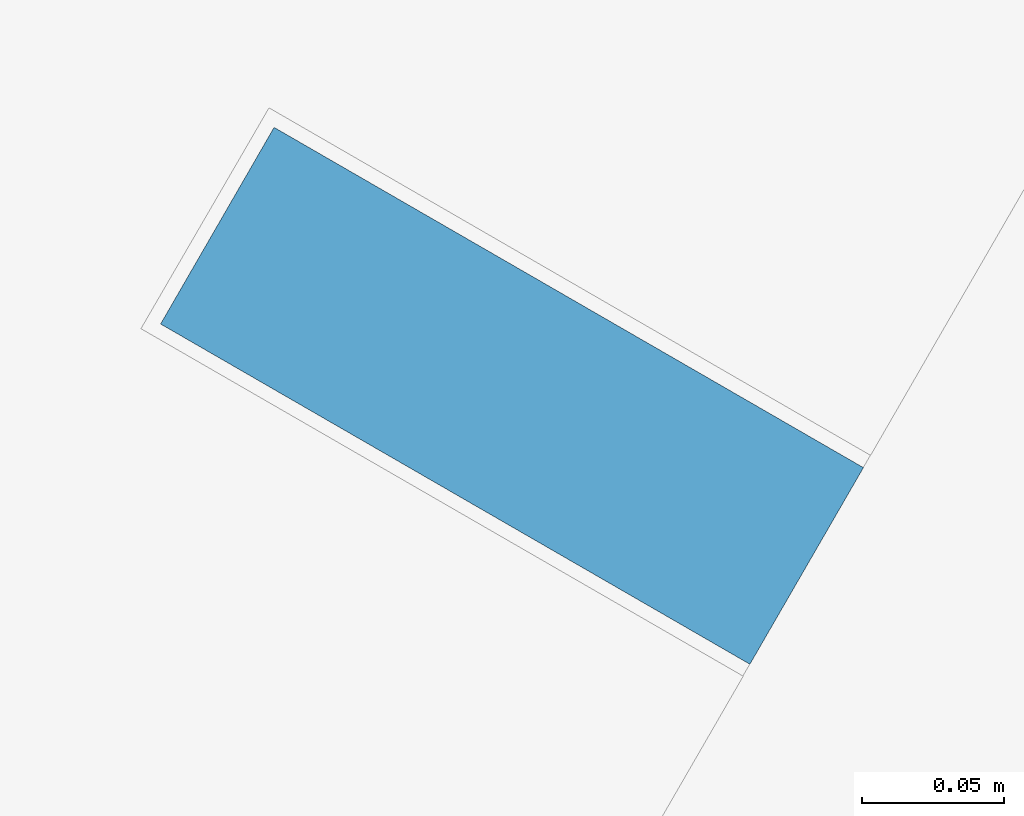
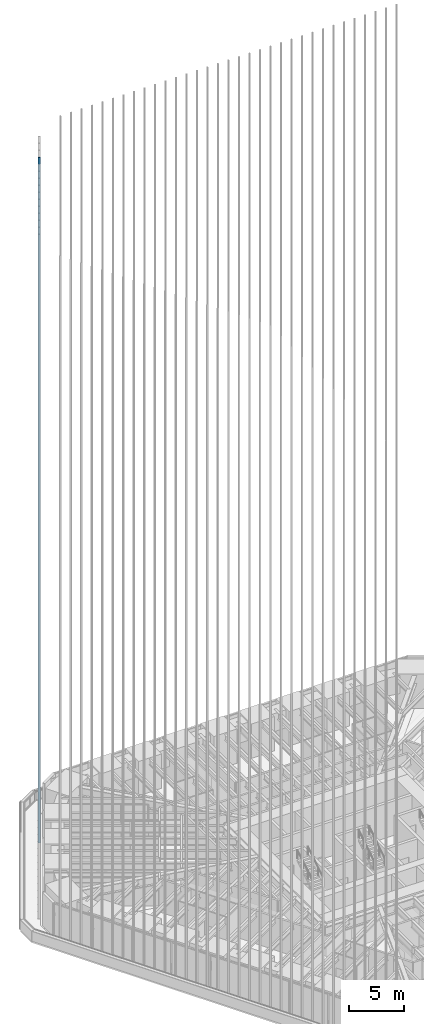
# One storey, part 142 of 238: 1 member, 1 element without a shape of its own.
"""IFC4 building model written with IfcOpenShell, lengths in metres."""

import ifcopenshell
import ifcopenshell.guid

model = None  # the IFC model being written
_history = None  # IfcOwnerHistory: only IFC2X3 demands one
_inside = {}  # id of a spatial element -> (the spatial element, [elements in it])
_under = {}  # id of a project, library or spatial element -> (it, [spatial elements below it])
_declared = {}  # id of a project -> (the project, [libraries it declares])
_typed = {}  # id of a type object -> (the type object, [elements of that type])
_made_of = {}  # id of a material, layer set ... -> (it, [elements and type objects made of it])


def new_model(schema):
    """Start an empty IFC model of exactly this schema.

    Asked for "IFC4X3", IfcOpenShell would pick the latest addendum, in which some entities
    have other attributes; the version numbers below select the first issue.
    IFC2X3 requires an IfcOwnerHistory on every rooted entity: one is made here for all.
    """
    global model, _history
    if schema == "IFC4X3":
        model = ifcopenshell.file(schema_version=(4, 3, 0, 0))
    else:
        model = ifcopenshell.file(schema=schema)
    _inside.clear()
    _under.clear()
    _declared.clear()
    _typed.clear()
    _made_of.clear()
    _history = None
    if model.schema == "IFC2X3":
        org = make("IfcOrganization", Name="unknown")
        user = make(
            "IfcPersonAndOrganization",
            ThePerson=make("IfcPerson", FamilyName="unknown"),
            TheOrganization=org,
        )
        app = make(
            "IfcApplication",
            ApplicationDeveloper=org,
            Version="unknown",
            ApplicationFullName="unknown",
            ApplicationIdentifier="unknown",
        )
        _history = make(
            "IfcOwnerHistory",
            OwningUser=user,
            OwningApplication=app,
            ChangeAction="ADDED",
            CreationDate=0,
        )
    return model


def make(cls, **values):
    """One entity of the class cls with the attributes given. An attribute that is None is left unset."""
    return model.create_entity(
        cls, **{name: value for name, value in values.items() if value is not None}
    )


def rooted(cls, **values):
    """An entity with a GlobalId (a new one), such as an element, a storey or a relation."""
    return make(cls, GlobalId=ifcopenshell.guid.new(), OwnerHistory=_history, **values)


def si_unit(unit_type, name, prefix=None):
    """IfcSIUnit, for example si_unit("LENGTHUNIT", "METRE", prefix="MILLI")."""
    return make("IfcSIUnit", UnitType=unit_type, Prefix=prefix, Name=name)


def assignment(units):
    """IfcUnitAssignment: the units of a project."""
    return None if units is None else make("IfcUnitAssignment", Units=units)


def point(xyz):
    """IfcCartesianPoint."""
    return None if xyz is None else make("IfcCartesianPoint", Coordinates=xyz)


def direction(xyz):
    """IfcDirection."""
    return None if xyz is None else make("IfcDirection", DirectionRatios=xyz)


def frame(location, z_axis=None, x_axis=None):
    """IfcAxis2Placement3D, a coordinate frame: its origin and axes. An axis left out is left unset."""
    return make(
        "IfcAxis2Placement3D",
        Location=point(location),
        Axis=direction(z_axis),
        RefDirection=direction(x_axis),
    )


def frame_2d(location, x_axis=None):
    """IfcAxis2Placement2D, a coordinate frame in the plane: its origin and x axis."""
    return make(
        "IfcAxis2Placement2D", Location=point(location), RefDirection=direction(x_axis)
    )


def origin():
    """The frame at (0, 0, 0) with its axes left unset."""
    return frame((0.0, 0.0, 0.0))


def origin_2d():
    """The frame at (0, 0) in the plane with its x axis left unset."""
    return frame_2d((0.0, 0.0))


def place(relative_to, where):
    """IfcLocalPlacement: puts the frame where relative to a parent placement (None: the world)."""
    return make(
        "IfcLocalPlacement", PlacementRelTo=relative_to, RelativePlacement=where
    )


def context(
    kind, dimensions, precision=None, world=None, true_north=None, identifier=None
):
    """IfcGeometricRepresentationContext, for example the 3D "Model" context."""
    return make(
        "IfcGeometricRepresentationContext",
        ContextIdentifier=identifier,
        ContextType=kind,
        CoordinateSpaceDimension=dimensions,
        Precision=precision,
        WorldCoordinateSystem=world,
        TrueNorth=true_north,
    )


def subcontext(parent, identifier, kind, view, scale=None):
    """IfcGeometricRepresentationSubContext, for example "Body" below "Model"."""
    return make(
        "IfcGeometricRepresentationSubContext",
        ContextIdentifier=identifier,
        ContextType=kind,
        ParentContext=parent,
        TargetScale=scale,
        TargetView=view,
    )


def project(units=None, contexts=None):
    """IfcProject with its units and contexts."""
    return rooted(
        "IfcProject",
        Name="project",
        RepresentationContexts=contexts,
        UnitsInContext=assignment(units),
    )


def spatial(cls, under=None, at=None, **own):
    """A site, building, storey or space (cls), placed at a placement, below another one or the project."""
    s = rooted(cls, ObjectPlacement=at, **own)
    if under is not None:
        _under.setdefault(under.id(), (under, []))[1].append(s)
    return s


def profile(cls, at=None, kind="AREA", **sizes):
    """A parametric profile (cls). Its sizes go by their IFC names, for example OverallWidth=200.0."""
    return make(cls, ProfileType=kind, Position=at, **sizes)


def rectangle(**sizes):
    """IfcRectangleProfileDef."""
    return profile("IfcRectangleProfileDef", **sizes)


def extrude(swept, where, along, depth):
    """IfcExtrudedAreaSolid: the profile swept, set in the frame where, extruded along a direction by depth."""
    return make(
        "IfcExtrudedAreaSolid",
        SweptArea=swept,
        Position=where,
        ExtrudedDirection=direction(along),
        Depth=depth,
    )


def shape(context_of_items, identifier, shape_type, items):
    """IfcShapeRepresentation: the items that make up one representation, for example the "Body"."""
    return make(
        "IfcShapeRepresentation",
        ContextOfItems=context_of_items,
        RepresentationIdentifier=identifier,
        RepresentationType=shape_type,
        Items=items,
    )


def material(Name=None, Category=None):
    """IfcMaterial."""
    return make("IfcMaterial", Name=Name, Category=Category)


def material_profile(
    of_material, cross_section, Name=None, Category=None, Priority=None
):
    """IfcMaterialProfile: a cross section and its material."""
    return make(
        "IfcMaterialProfile",
        Name=Name,
        Material=of_material,
        Profile=cross_section,
        Priority=Priority,
        Category=Category,
    )


def profile_set(profiles, Name=None, composite=None):
    """IfcMaterialProfileSet."""
    return make(
        "IfcMaterialProfileSet",
        Name=Name,
        MaterialProfiles=profiles,
        CompositeProfile=composite,
    )


def made_of(thing, what):
    """Note that an element or type object is made of a material, layer set ...; save() writes the relation."""
    if what is not None:
        _made_of.setdefault(what.id(), (what, []))[1].append(thing)
    return thing


def type_object(cls, material=None, **own):
    """A type object (cls), such as IfcWallType, which elements share."""
    return made_of(rooted(cls, **own), material)


def element(
    cls,
    number,
    at=None,
    inside=None,
    cuts=None,
    type_object=None,
    material=None,
    context=None,
    identifier="Body",
    shape_type=None,
    held_by="IfcProductDefinitionShape",
    body=None,
    shapes=None,
    **own,
):
    """One element of the class cls, such as IfcWall. Its Tag is "e" and its number.

    at: its placement. inside: the storey or other place that contains it. cuts: it is an
    opening in that element (IfcRelVoidsElement). A single representation is given by context,
    identifier, shape_type and body (its items); several are given by shapes. held_by: the class
    of the entity that holds the representations. save() writes the other relations.
    """
    e = rooted(cls, Tag="e%d" % number, ObjectPlacement=at, **own)
    if body is not None:
        shapes = [shape(context, identifier, shape_type, body)]
    if shapes is not None:
        e.Representation = make(held_by, Representations=shapes)
    if inside is not None:
        _inside.setdefault(inside.id(), (inside, []))[1].append(e)
    if cuts is not None:
        rooted(
            "IfcRelVoidsElement", RelatingBuildingElement=cuts, RelatedOpeningElement=e
        )
    if type_object is not None:
        _typed.setdefault(type_object.id(), (type_object, []))[1].append(e)
    return made_of(e, material)


def aggregate(whole, parts):
    """IfcRelAggregates: a whole, such as a stair, and the parts it consists of."""
    return rooted("IfcRelAggregates", RelatingObject=whole, RelatedObjects=parts)


def save(model, path):
    """Write the relations noted so far, then the file.

    IfcRelAggregates (storeys below a building ...), IfcRelContainedInSpatialStructure (elements
    in a storey), IfcRelDefinesByType, IfcRelAssociatesMaterial and IfcRelDeclares: one each for
    every whole, place, type object, material and project.
    """
    for whole, parts in _under.values():
        aggregate(whole, parts)
    for where, things in _inside.values():
        rooted(
            "IfcRelContainedInSpatialStructure",
            RelatedElements=things,
            RelatingStructure=where,
        )
    for kind, things in _typed.values():
        rooted("IfcRelDefinesByType", RelatedObjects=things, RelatingType=kind)
    for what, things in _made_of.values():
        rooted("IfcRelAssociatesMaterial", RelatedObjects=things, RelatingMaterial=what)
    for by, libraries in _declared.values():
        rooted("IfcRelDeclares", RelatingContext=by, RelatedDefinitions=libraries)
    model.write(path)


model = new_model("IFC4")

# Units and contexts
model_context = context("Model", 3, precision=1e-05, world=origin(), true_north=direction((0.0, 1.0)))
body_context = subcontext(model_context, "Body", "Model", "MODEL_VIEW")
ifc_project = project(units=[si_unit("LENGTHUNIT", "METRE"), si_unit("AREAUNIT", "SQUARE_METRE"), si_unit("VOLUMEUNIT", "CUBIC_METRE"), si_unit("PLANEANGLEUNIT", "RADIAN"), si_unit("MASSUNIT", "GRAM", prefix="KILO")], contexts=[model_context])

# Site, building, storey
site_placement = place(None, origin())
site = spatial("IfcSite", under=ifc_project, at=site_placement, CompositionType="ELEMENT")
building_placement = place(site_placement, origin())
building = spatial("IfcBuilding", under=site, at=building_placement, Name="Sandreach Pilgrim Tower", CompositionType="ELEMENT")
storey_placement = place(building_placement, frame((0.0, 0.0, 96.800048828125)))
storey = spatial("IfcBuildingStorey", under=building, at=storey_placement, Name="L23", CompositionType="ELEMENT", Elevation=96.800048828125)

# Curtain wall, member
ifc_material_1 = material(Name="Aluminium framed curtain wall", Category="aluminium")
curtain_wall_type = type_object("IfcCurtainWallType", Name="Hotel tower curtain wall", PredefinedType="NOTDEFINED", material=ifc_material_1)
curtain_wall_placement = place(storey_placement, origin())
curtain_wall = element("IfcCurtainWall", 1, at=curtain_wall_placement, inside=storey, type_object=curtain_wall_type, Name="CW-2 L23 NW", PredefinedType="NOTDEFINED")
ifc_material_2 = material(Name="Extruded terracotta on aluminium core", Category="masonry")
ifc_material_profile = material_profile(ifc_material_2, rectangle(XDim=0.080078125, YDim=0.239990234375, at=origin_2d()), Name="TBW 80X240")
ifc_profile_set = profile_set([ifc_material_profile], Name="Extruded terracotta on aluminium core")
member_type = type_object("IfcMemberType", Name="Terracotta baguette west", PredefinedType="USERDEFINED", material=ifc_profile_set)
member_placement = place(storey_placement, frame((-22.5654296875, 18.139892578125, 0.0), z_axis=(0.0, 0.0, 1.0), x_axis=(0.5, 0.866025403784, 0.0)))
member = element("IfcMember", 2, at=member_placement, type_object=member_type, Name="Baguette Z2 NW12", ObjectType="BAGUETTE", PredefinedType="USERDEFINED", context=body_context, shape_type="SweptSolid", body=[
    extrude(rectangle(XDim=0.080078125, YDim=0.239990234375, at=origin_2d()), origin(), (0.0, 0.0, 1.0), 75.83984375),
])
aggregate(curtain_wall, [member])

save(model, "model.ifc")
